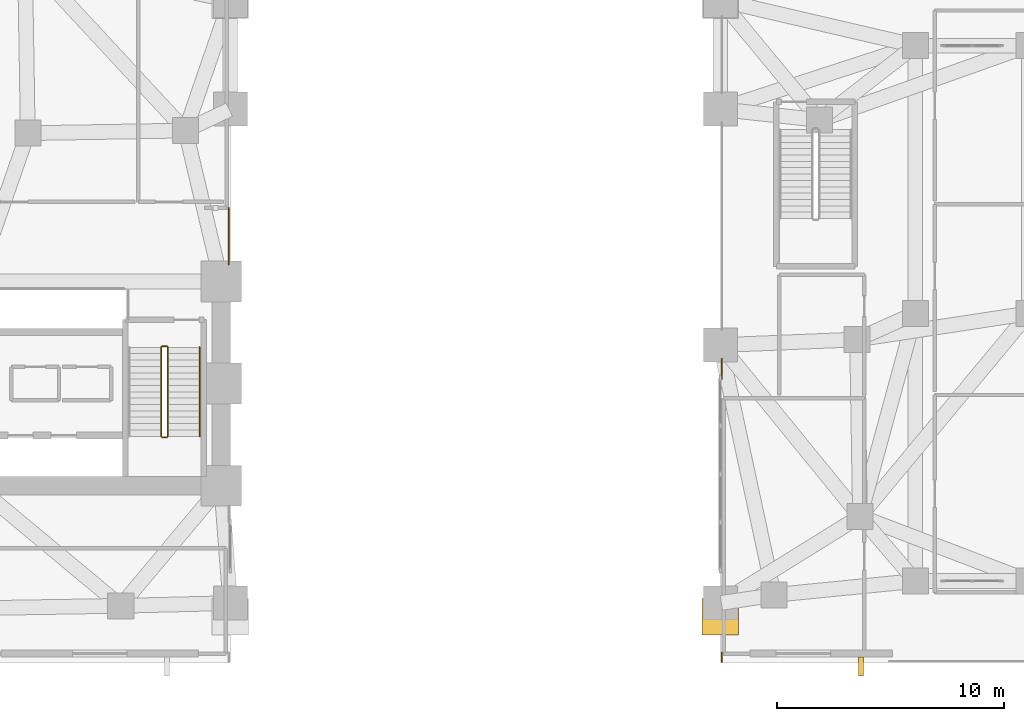
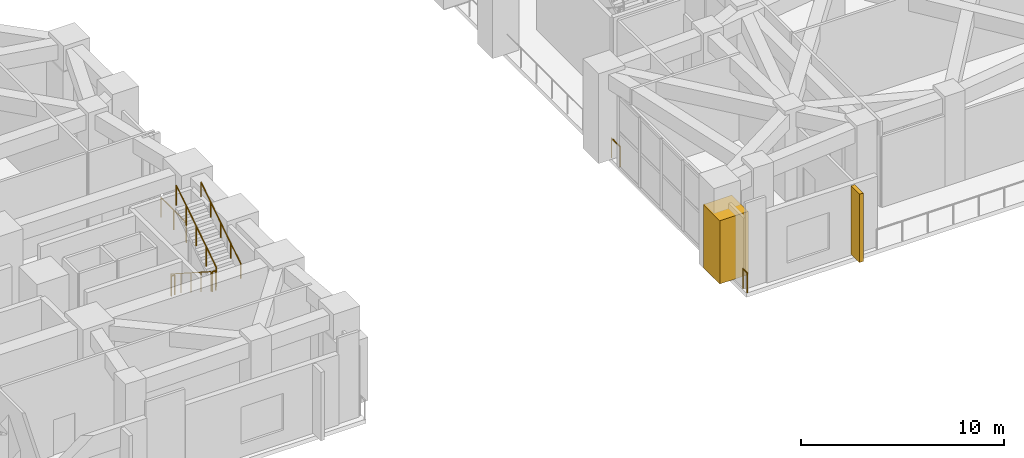
# One storey, part 15 of 18: 8 railings, 1 covering, 1 shading device.
"""IFC4 building model written with IfcOpenShell, lengths in metres."""

from ifc_helpers import new_model, si_unit, direction, frame, origin, origin_2d, place, context, subcontext, project, spatial, rectangle, circle, extrude, material, layer, layer_set, type_object, element, save


model = new_model("IFC4")

# Units and contexts
model_context = context("Model", 3, precision=1e-05, world=origin(), true_north=direction((0.0, 1.0)))
body_context = subcontext(model_context, "Body", "Model", "MODEL_VIEW")
ifc_project = project(units=[si_unit("LENGTHUNIT", "METRE"), si_unit("AREAUNIT", "SQUARE_METRE"), si_unit("VOLUMEUNIT", "CUBIC_METRE"), si_unit("PLANEANGLEUNIT", "RADIAN"), si_unit("MASSUNIT", "GRAM", prefix="KILO")], contexts=[model_context])

# Site, building, storey
site_placement = place(None, origin())
site = spatial("IfcSite", under=ifc_project, at=site_placement, CompositionType="ELEMENT")
building_placement = place(site_placement, origin())
building = spatial("IfcBuilding", under=site, at=building_placement, Name="Gaonmaruhae Medical Tower", CompositionType="ELEMENT")
storey_placement = place(building_placement, frame((0.0, 0.0, 10.800048828125)))
storey = spatial("IfcBuildingStorey", under=building, at=storey_placement, Name="L02", CompositionType="ELEMENT", Elevation=10.800048828125)

# Covering
ifc_material_1 = material(Name="Architectural precast column cladding", Category="concrete")
ifc_layer_1 = layer(ifc_material_1, 0.06005859375)
ifc_layer_set_1 = layer_set([ifc_layer_1], Name="Architectural precast column cladding")
covering_type = type_object("IfcCoveringType", Name="CLD-01 Architectural Precast Pier Cladding", PredefinedType="CLADDING", material=ifc_layer_set_1)
covering_placement = place(storey_placement, frame((57.60009765625, 2.02001953125, 0.10009765625), z_axis=(0.0, 0.0, 1.0), x_axis=(1.0, 0.0, 0.0)))
element("IfcCovering", 1, at=covering_placement, inside=storey, type_object=covering_type, Name="L02 Architectural Precast Column Cladding 2", PredefinedType="CLADDING", context=body_context, shape_type="SweptSolid", body=[
    extrude(rectangle(XDim=1.6201171875, YDim=1.6201171875, at=origin_2d()), origin(), (0.0, 0.0, 1.0), 3.800048828125),
])

# Railings
ifc_material_2 = material(Name="Stainless steel 316L and laminated safety glass", Category="steel")
ifc_layer_2 = layer(ifc_material_2, 0.080078125)
ifc_layer_set_2 = layer_set([ifc_layer_2], Name="Stainless steel 316L and laminated safety glass")
railing_type_1 = type_object("IfcRailingType", Name="GD-120 Outdoor Terrace Safety Glass & Steel Balustrade", PredefinedType="BALUSTRADE", material=ifc_layer_set_2)
railing_1_placement = place(storey_placement, frame((35.929931640625, 20.046875, 0.0)))
element("IfcRailing", 2, at=railing_1_placement, inside=storey, type_object=railing_type_1, Name="L02 Perimeter Slab Edge Safety Balustrade 13", PredefinedType="BALUSTRADE", context=body_context, shape_type="SweptSolid", body=[
    extrude(circle(Radius=0.02392578125, at=origin_2d()), frame((0.0, 0.0, 1.17578125), z_axis=(0.0, -1.0, 0.0), x_axis=(1.0, 0.0, 0.0)), (0.0, 0.0, 1.0), 2.49853515625),
    extrude(circle(Radius=0.02099609375, at=origin_2d()), origin(), (0.0, 0.0, 1.0), 1.15185546875),
    extrude(circle(Radius=0.02099609375, at=origin_2d()), frame((0.0, -1.249267578125, 0.0)), (0.0, 0.0, 1.0), 1.15185546875),
    extrude(circle(Radius=0.02099609375, at=origin_2d()), frame((0.0, -2.49853515625, 0.0)), (0.0, 0.0, 1.0), 1.15185546875),
])
railing_2_placement = place(storey_placement, frame((57.669921875, 0.02001953125, 0.0)))
element("IfcRailing", 3, at=railing_2_placement, inside=storey, type_object=railing_type_1, Name="L02 Perimeter Slab Edge Safety Balustrade 32", PredefinedType="BALUSTRADE", context=body_context, shape_type="SweptSolid", body=[
    extrude(circle(Radius=0.02392578125, at=origin_2d()), frame((0.0, 0.0, 1.17578125), z_axis=(0.0, 1.0, 0.0), x_axis=(-1.0, 0.0, 0.0)), (0.0, 0.0, 1.0), 0.419677734375),
    extrude(circle(Radius=0.02099609375, at=origin_2d()), origin(), (0.0, 0.0, 1.0), 1.15185546875),
    extrude(circle(Radius=0.02099609375, at=origin_2d()), frame((0.0, 0.419677734375, 0.0)), (0.0, 0.0, 1.0), 1.15185546875),
])
railing_3_placement = place(storey_placement, frame((57.669921875, 12.51171875, 0.0)))
element("IfcRailing", 4, at=railing_3_placement, inside=storey, type_object=railing_type_1, Name="L02 Perimeter Slab Edge Safety Balustrade 33", PredefinedType="BALUSTRADE", context=body_context, shape_type="SweptSolid", body=[
    extrude(circle(Radius=0.02392578125, at=origin_2d()), frame((0.0, 0.0, 1.17578125), z_axis=(0.0, 1.0, 0.0), x_axis=(-1.0, 0.0, 0.0)), (0.0, 0.0, 1.0), 0.87939453125),
    extrude(circle(Radius=0.02099609375, at=origin_2d()), origin(), (0.0, 0.0, 1.0), 1.15185546875),
    extrude(circle(Radius=0.02099609375, at=origin_2d()), frame((0.0, 0.87939453125, 0.0)), (0.0, 0.0, 1.0), 1.15185546875),
])
ifc_material_3 = material(Name="Stainless steel 304 handrail", Category="steel")
railing_type_2 = type_object("IfcRailingType", Name="HR-092 Continuous Stainless Steel Stair Handrail", PredefinedType="HANDRAIL", material=ifc_material_3)
railing_4_placement = place(storey_placement, frame((34.64990234375, 9.97998046875, 2.8798828125)))
element("IfcRailing", 5, at=railing_4_placement, inside=storey, type_object=railing_type_2, Name="L02 ST-02 stair handrail 2", PredefinedType="HANDRAIL", context=body_context, shape_type="SweptSolid", body=[
    extrude(circle(Radius=0.02392578125, at=origin_2d()), frame((0.0, 0.0, 0.8759765625), z_axis=(0.0, 0.841171666519, 0.540768182723), x_axis=(-1.0, 0.0, 0.0)), (0.0, 0.0, 1.0), 4.66015625),
    extrude(circle(Radius=0.02099609375, at=origin_2d()), origin(), (0.0, 0.0, 1.0), 0.851806640625),
    extrude(circle(Radius=0.02099609375, at=origin_2d()), frame((0.0, 0.97998046875, 0.6298828125)), (0.0, 0.0, 1.0), 0.851806640625),
    extrude(circle(Radius=0.02099609375, at=origin_2d()), frame((0.0, 1.9599609375, 1.260009765625)), (0.0, 0.0, 1.0), 0.851806640625),
    extrude(circle(Radius=0.02099609375, at=origin_2d()), frame((0.0, 2.93994140625, 1.89013671875)), (0.0, 0.0, 1.0), 0.851806640625),
    extrude(circle(Radius=0.02099609375, at=origin_2d()), frame((0.0, 3.919921875, 2.52001953125)), (0.0, 0.0, 1.0), 0.851806640625),
])

# Shading device
ifc_material_4 = material(Name="Pigmented coral precast concrete C45/55", Category="concrete")
shading_device_type = type_object("IfcShadingDeviceType", Name="SD-FIN2 Podium Vertical Coral Precast Shading Fin", PredefinedType="USERDEFINED", material=ifc_material_4)
shading_device_placement = place(storey_placement, frame((63.800048828125, -0.1650390625, 0.06494140625), z_axis=(0.0, 0.0, 1.0), x_axis=(-1.0, 0.0, 0.0)))
element("IfcShadingDevice", 6, at=shading_device_placement, inside=storey, type_object=shading_device_type, Name="L02 Podium Coral Precast Shading Fin PB-S4", ObjectType="FIN", PredefinedType="USERDEFINED", context=body_context, shape_type="SweptSolid", body=[
    extrude(rectangle(XDim=0.219970703125, YDim=0.85009765625, at=origin_2d()), origin(), (0.0, 0.0, 1.0), 4.10009765625),
])

# Railings
ifc_material_5 = material(Name="Stainless steel 304 balustrade", Category="steel")
railing_type_3 = type_object("IfcRailingType", Name="SG-112 Stair Well & Ramp Void Safety Balustrade", PredefinedType="BALUSTRADE", material=ifc_material_5)
railing_5_placement = place(storey_placement, frame((32.949951171875, 13.89990234375, 0.179931640625)))
element("IfcRailing", 7, at=railing_5_placement, inside=storey, type_object=railing_type_3, Name="L02 ST-02 stair guard 1", PredefinedType="BALUSTRADE", context=body_context, shape_type="SweptSolid", body=[
    extrude(circle(Radius=0.02392578125, at=origin_2d()), frame((0.0, 0.0, 1.17578125), z_axis=(0.0, -0.841171666519, 0.540768182723), x_axis=(1.0, 0.0, 0.0)), (0.0, 0.0, 1.0), 4.66015625),
    extrude(circle(Radius=0.02099609375, at=origin_2d()), origin(), (0.0, 0.0, 1.0), 1.15185546875),
    extrude(circle(Radius=0.02099609375, at=origin_2d()), frame((0.0, -0.97998046875, 0.6298828125)), (0.0, 0.0, 1.0), 1.15185546875),
    extrude(circle(Radius=0.02099609375, at=origin_2d()), frame((0.0, -1.9599609375, 1.260009765625)), (0.0, 0.0, 1.0), 1.15185546875),
    extrude(circle(Radius=0.02099609375, at=origin_2d()), frame((0.0, -2.93994140625, 1.89013671875)), (0.0, 0.0, 1.0), 1.15185546875),
    extrude(circle(Radius=0.02099609375, at=origin_2d()), frame((0.0, -3.919921875, 2.52001953125)), (0.0, 0.0, 1.0), 1.15185546875),
])
railing_6_placement = place(storey_placement, frame((33.0, 9.929931640625, 2.699951171875)))
element("IfcRailing", 8, at=railing_6_placement, inside=storey, type_object=railing_type_3, Name="L02 ST-02 stair guard 2", PredefinedType="BALUSTRADE", context=body_context, shape_type="SweptSolid", body=[
    extrude(circle(Radius=0.02392578125, at=origin_2d()), frame((0.0, 0.0, 1.17578125), z_axis=(1.0, 0.0, 0.0), x_axis=(0.0, 1.0, 0.0)), (0.0, 0.0, 1.0), 0.199951171875),
    extrude(circle(Radius=0.02099609375, at=origin_2d()), origin(), (0.0, 0.0, 1.0), 1.15185546875),
    extrude(circle(Radius=0.02099609375, at=origin_2d()), frame((0.199951171875, 0.0, 0.0)), (0.0, 0.0, 1.0), 1.15185546875),
])
railing_7_placement = place(storey_placement, frame((33.25, 9.97998046875, 2.8798828125)))
element("IfcRailing", 9, at=railing_7_placement, inside=storey, type_object=railing_type_3, Name="L02 ST-02 stair guard 3", PredefinedType="BALUSTRADE", context=body_context, shape_type="SweptSolid", body=[
    extrude(circle(Radius=0.02392578125, at=origin_2d()), frame((0.0, 0.0, 1.17578125), z_axis=(0.0, 0.841171666519, 0.540768182723), x_axis=(-1.0, 0.0, 0.0)), (0.0, 0.0, 1.0), 4.66015625),
    extrude(circle(Radius=0.02099609375, at=origin_2d()), origin(), (0.0, 0.0, 1.0), 1.15185546875),
    extrude(circle(Radius=0.02099609375, at=origin_2d()), frame((0.0, 0.97998046875, 0.6298828125)), (0.0, 0.0, 1.0), 1.15185546875),
    extrude(circle(Radius=0.02099609375, at=origin_2d()), frame((0.0, 1.9599609375, 1.260009765625)), (0.0, 0.0, 1.0), 1.15185546875),
    extrude(circle(Radius=0.02099609375, at=origin_2d()), frame((0.0, 2.93994140625, 1.89013671875)), (0.0, 0.0, 1.0), 1.15185546875),
    extrude(circle(Radius=0.02099609375, at=origin_2d()), frame((0.0, 3.919921875, 2.52001953125)), (0.0, 0.0, 1.0), 1.15185546875),
])
railing_8_placement = place(storey_placement, frame((33.0, 13.949951171875, 0.0)))
element("IfcRailing", 10, at=railing_8_placement, inside=storey, type_object=railing_type_3, Name="L02 ST-02 stair guard 4", PredefinedType="BALUSTRADE", context=body_context, shape_type="SweptSolid", body=[
    extrude(circle(Radius=0.02392578125, at=origin_2d()), frame((0.0, 0.0, 1.17578125), z_axis=(1.0, 0.0, 0.0), x_axis=(0.0, 1.0, 0.0)), (0.0, 0.0, 1.0), 0.199951171875),
    extrude(circle(Radius=0.02099609375, at=origin_2d()), origin(), (0.0, 0.0, 1.0), 1.15185546875),
    extrude(circle(Radius=0.02099609375, at=origin_2d()), frame((0.199951171875, 0.0, 0.0)), (0.0, 0.0, 1.0), 1.15185546875),
])

save(model, "model.ifc")
